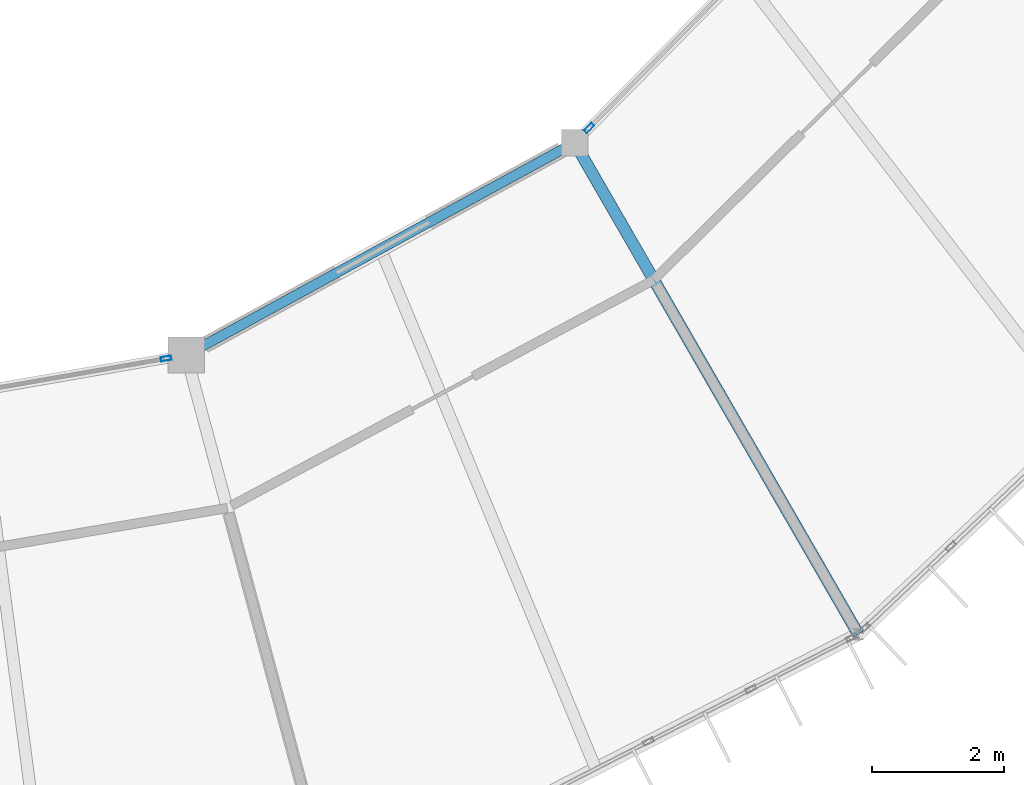
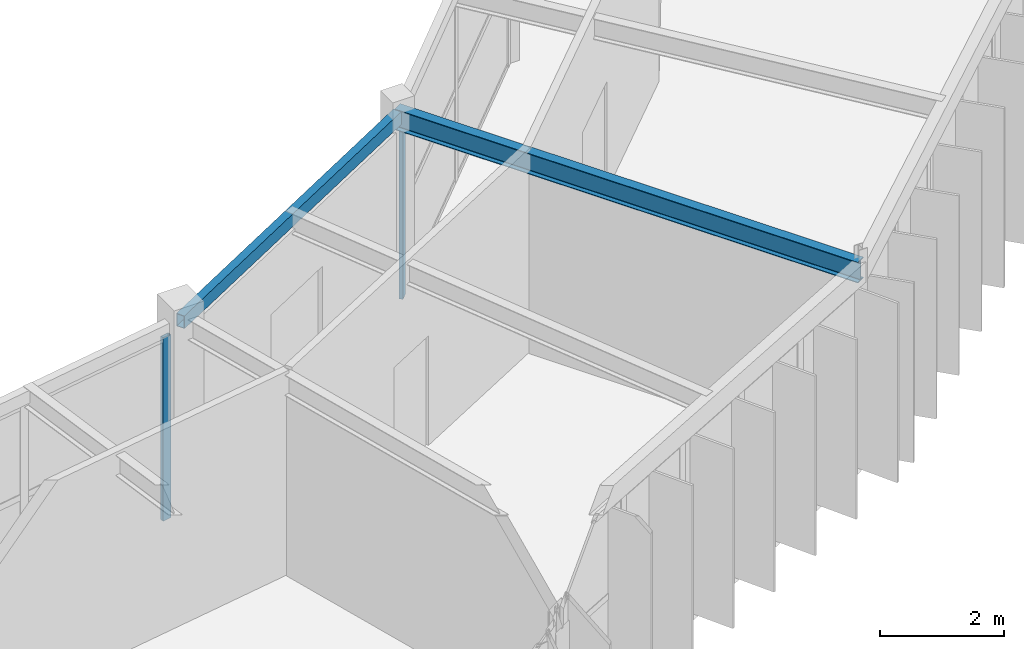
# One storey, part 36 of 106: 2 beams, 2 members, 2 elements without a shape of their own.
"""IFC4 building model written with IfcOpenShell, lengths in metres."""

from ifc_helpers import new_model, si_unit, direction, frame, origin, origin_2d, place, context, subcontext, project, spatial, hollow_rectangle, i_section, extrude, material, material_profile, profile_set, type_object, element, aggregate, save


model = new_model("IFC4")

# Units and contexts
model_context = context("Model", 3, precision=1e-05, world=origin(), true_north=direction((0.0, 1.0)))
body_context = subcontext(model_context, "Body", "Model", "MODEL_VIEW")
ifc_project = project(units=[si_unit("LENGTHUNIT", "METRE"), si_unit("AREAUNIT", "SQUARE_METRE"), si_unit("VOLUMEUNIT", "CUBIC_METRE"), si_unit("PLANEANGLEUNIT", "RADIAN"), si_unit("MASSUNIT", "GRAM", prefix="KILO")], contexts=[model_context])

# Site, building, storey
site_placement = place(None, origin())
site = spatial("IfcSite", under=ifc_project, at=site_placement, CompositionType="ELEMENT")
building_placement = place(site_placement, origin())
building = spatial("IfcBuilding", under=site, at=building_placement, Name="Karori Crest Natural Sciences Institute", CompositionType="ELEMENT")
storey_placement = place(building_placement, frame((0.0, 0.0, 25.89990234375)))
storey = spatial("IfcBuildingStorey", under=building, at=storey_placement, Name="L06", CompositionType="ELEMENT", Elevation=25.89990234375)

# Beams
ifc_material_1 = material(Name="Structural steel AS/NZS 3679.1 Grade 350", Category="steel")
ifc_material_profile_1 = material_profile(ifc_material_1, i_section(OverallWidth=0.177978515625, OverallDepth=0.406005859375, WebThickness=0.0078125, FlangeThickness=0.0126953125, FilletRadius=0.010986328125, at=origin_2d()), Name="410UB59.7")
ifc_profile_set_1 = profile_set([ifc_material_profile_1], Name="Structural steel AS/NZS 3679.1 Grade 350")
beam_type_1 = type_object("IfcBeamType", Name="BT-07", PredefinedType="BEAM", material=ifc_profile_set_1)
beam_1_placement = place(storey_placement, frame((78.60009765625, 22.013916015625, 3.739990234375), z_axis=(0.499986217557, -0.866033360935, 0.0), x_axis=(0.866033360935, 0.499986217557, 0.0)))
element("IfcBeam", 1, at=beam_1_placement, inside=storey, type_object=beam_type_1, Name="Beam B-0706", PredefinedType="BEAM", context=body_context, shape_type="SweptSolid", body=[
    extrude(i_section(OverallWidth=0.177978515625, OverallDepth=0.406005859375, WebThickness=0.0078125, FlangeThickness=0.0126953125, FilletRadius=0.010986328125, at=origin_2d()), origin(), (0.0, 0.0, 1.0), 8.599853515625),
])
ifc_material_2 = material(Name="Hollow structural steel AS/NZS 1163 Grade C350", Category="steel")
ifc_material_profile_2 = material_profile(ifc_material_2, hollow_rectangle(XDim=0.14990234375, YDim=0.25, WallThickness=0.009033203125, at=origin_2d()), Name="RHS250x150x9")
ifc_profile_set_2 = profile_set([ifc_material_profile_2], Name="Hollow structural steel AS/NZS 1163 Grade C350")
beam_type_2 = type_object("IfcBeamType", Name="BT-16", PredefinedType="SPANDREL", material=ifc_profile_set_2)
beam_2_placement = place(storey_placement, frame((72.715087890625, 18.797119140625, 3.739990234375), z_axis=(0.877469531616, 0.47963238119, 0.0), x_axis=(-0.47963238119, 0.877469531616, 0.0)))
element("IfcBeam", 2, at=beam_2_placement, inside=storey, type_object=beam_type_2, Name="Beam B-0702", PredefinedType="SPANDREL", context=body_context, shape_type="SweptSolid", body=[
    extrude(hollow_rectangle(XDim=0.14990234375, YDim=0.25, WallThickness=0.009033203125, at=origin_2d()), origin(), (0.0, 0.0, 1.0), 6.706787109375),
])

# Curtain wall, member
ifc_material_3 = material(Name="Anodised architectural aluminium 6063-T6", Category="aluminium")
curtain_wall_type_1 = type_object("IfcCurtainWallType", Name="CWT-14", PredefinedType="NOTDEFINED", material=ifc_material_3)
curtain_wall_1_placement = place(storey_placement, origin())
curtain_wall_1 = element("IfcCurtainWall", 3, at=curtain_wall_1_placement, inside=storey, type_object=curtain_wall_type_1, Name="Curtain wall CW-0212", PredefinedType="NOTDEFINED")
ifc_material_profile_3 = material_profile(ifc_material_3, hollow_rectangle(XDim=0.06494140625, YDim=0.159912109375, WallThickness=0.00390625, at=origin_2d()), Name="CWM160x65x4")
ifc_profile_set_3 = profile_set([ifc_material_profile_3], Name="Anodised architectural aluminium 6063-T6")
member_type = type_object("IfcMemberType", Name="CWM-01", PredefinedType="MULLION", material=ifc_profile_set_3)
member_1_placement = place(storey_placement, frame((72.41015625, 18.744140625, 0.0), z_axis=(0.0, 0.0, 1.0), x_axis=(-0.171173924291, 0.985240827231, 0.0)))
member_1 = element("IfcMember", 4, at=member_1_placement, type_object=member_type, Name="CW-0212 mullion 3", PredefinedType="MULLION", context=body_context, shape_type="SweptSolid", body=[
    extrude(hollow_rectangle(XDim=0.06494140625, YDim=0.159912109375, WallThickness=0.00390625, at=origin_2d()), origin(), (0.0, 0.0, 1.0), 3.60009765625),
])
aggregate(curtain_wall_1, [member_1])

curtain_wall_type_2 = type_object("IfcCurtainWallType", Name="CWT-11", PredefinedType="NOTDEFINED", material=ifc_material_3)
curtain_wall_2_placement = place(storey_placement, origin())
curtain_wall_2 = element("IfcCurtainWall", 5, at=curtain_wall_2_placement, inside=storey, type_object=curtain_wall_type_2, Name="Curtain wall CW-0215", PredefinedType="NOTDEFINED")
member_2_placement = place(storey_placement, frame((78.81884765625, 22.23583984375, 0.0), z_axis=(0.0, 0.0, 1.0), x_axis=(-0.711524963942, 0.702660818381, 0.0)))
member_2 = element("IfcMember", 6, at=member_2_placement, type_object=member_type, Name="CW-0215 mullion 1", PredefinedType="MULLION", context=body_context, shape_type="SweptSolid", body=[
    extrude(hollow_rectangle(XDim=0.06494140625, YDim=0.159912109375, WallThickness=0.00390625, at=origin_2d()), origin(), (0.0, 0.0, 1.0), 3.60009765625),
])
aggregate(curtain_wall_2, [member_2])

save(model, "model.ifc")
